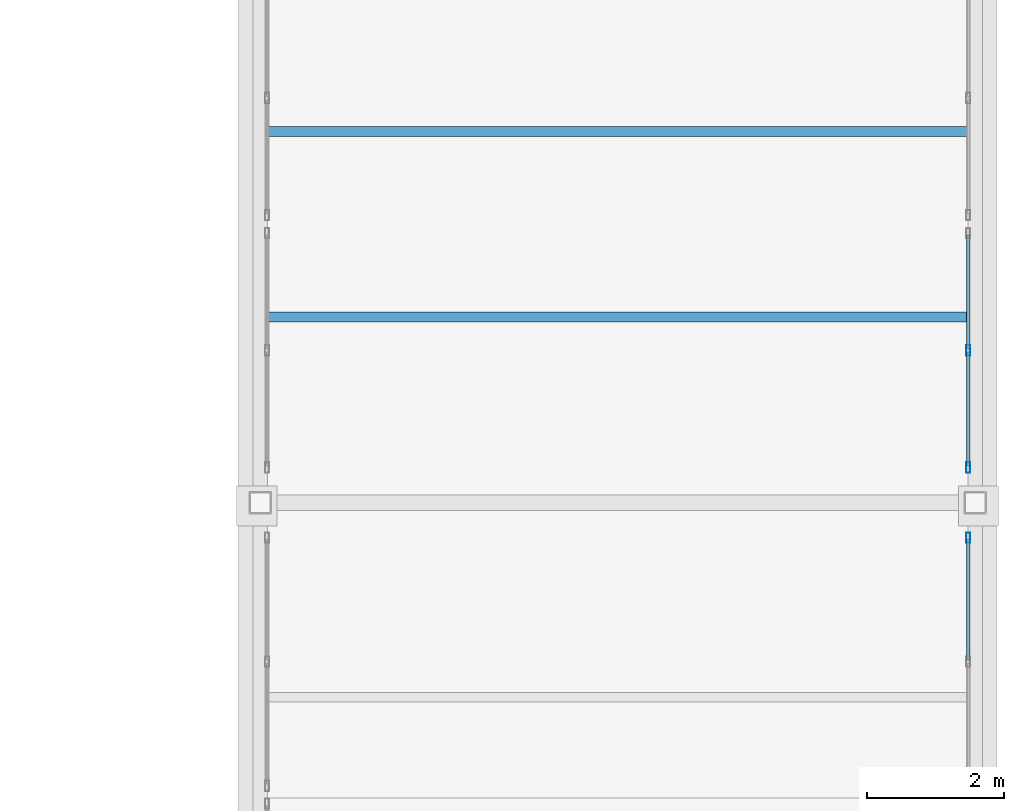
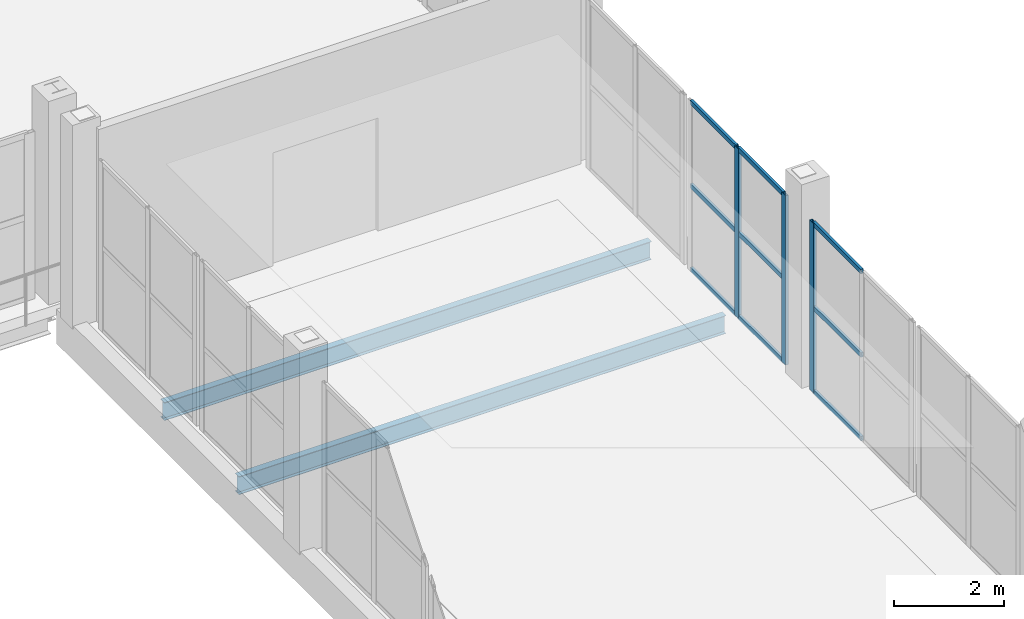
# One storey, part 79 of 156: 12 members, 2 beams, 2 elements without a shape of their own.
"""IFC4 building model written with IfcOpenShell, lengths in metres."""

from ifc_helpers import new_model, si_unit, direction, frame, origin, origin_2d, place, context, subcontext, project, spatial, hollow_rectangle, i_section, extrude, material, material_profile, profile_set, type_object, element, aggregate, save


model = new_model("IFC4")

# Units and contexts
model_context = context("Model", 3, precision=1e-05, world=origin(), true_north=direction((0.0, 1.0)))
body_context = subcontext(model_context, "Body", "Model", "MODEL_VIEW")
ifc_project = project(units=[si_unit("LENGTHUNIT", "METRE"), si_unit("AREAUNIT", "SQUARE_METRE"), si_unit("VOLUMEUNIT", "CUBIC_METRE"), si_unit("PLANEANGLEUNIT", "RADIAN"), si_unit("MASSUNIT", "GRAM", prefix="KILO")], contexts=[model_context])

# Site, building, storey
site_placement = place(None, origin())
site = spatial("IfcSite", under=ifc_project, at=site_placement, CompositionType="ELEMENT")
building_placement = place(site_placement, origin())
building = spatial("IfcBuilding", under=site, at=building_placement, Name="Caurita Quay Ferry Terminal", CompositionType="ELEMENT")
storey_placement = place(building_placement, frame((0.0, 0.0, 5.39990234375)))
storey = spatial("IfcBuildingStorey", under=building, at=storey_placement, Name="L01", CompositionType="ELEMENT", Elevation=5.39990234375)

# Beams
ifc_material_1 = material(Name="Structural steel ASTM A992 Gr. 50", Category="steel")
ifc_material_profile_1 = material_profile(ifc_material_1, i_section(OverallWidth=0.139892578125, OverallDepth=0.39892578125, WebThickness=0.00634765625, FlangeThickness=0.0087890625, at=origin_2d()), Name="W16X26")
ifc_profile_set_1 = profile_set([ifc_material_profile_1], Name="Structural steel ASTM A992 Gr. 50")
beam_type = type_object("IfcBeamType", Name="BM-JS-W16C", PredefinedType="JOIST", material=ifc_profile_set_1)
for number, where, z_axis, x_axis, name in (
    (1, (163.705322265625, 28.199951171875, -0.434326171875), (1.0, 0.0, 0.0), (0.0, 1.0, 0.0), "L01 Beam JS-V3P-L01-023"),
    (2, (163.705322265625, 30.89990234375, -0.434326171875), (1.0, 0.0, 0.0), (0.0, 1.0, 0.0), "L01 Beam JS-V3P-L01-024"),
):
    element("IfcBeam", number, at=place(storey_placement, frame(where, z_axis=z_axis, x_axis=x_axis)), inside=storey, type_object=beam_type, Name=name, PredefinedType="JOIST", context=body_context, shape_type="SweptSolid", body=[
        extrude(i_section(OverallWidth=0.139892578125, OverallDepth=0.39892578125, WebThickness=0.00634765625, FlangeThickness=0.0087890625, at=origin_2d()), origin(), (0.0, 0.0, 1.0), 10.189208984375),
    ])

# Curtain wall, member
ifc_material_2 = material(Name="Laminated solar-control insulated glass", Category="glass")
curtain_wall_type_1 = type_object("IfcCurtainWallType", Name="CW-SYS-15", PredefinedType="NOTDEFINED", material=ifc_material_2)
curtain_wall_1_placement = place(storey_placement, origin())
curtain_wall_1 = element("IfcCurtainWall", 3, at=curtain_wall_1_placement, inside=storey, type_object=curtain_wall_type_1, Name="Boarding Gangway Ribbon Curtain Wall 133", PredefinedType="NOTDEFINED")
ifc_material_3 = material(Name="Anodized aluminium 6063-T6", Category="aluminium")
ifc_material_profile_2 = material_profile(ifc_material_3, hollow_rectangle(XDim=0.06005859375, YDim=0.14990234375, WallThickness=0.00341796875, at=origin_2d()), Name="ALU-MUL-60X150")
ifc_profile_set_2 = profile_set([ifc_material_profile_2], Name="Anodized aluminium 6063-T6")
member_type_1 = type_object("IfcMemberType", Name="CW-MUL-150", PredefinedType="MULLION", material=ifc_profile_set_2)
member_1_placement = place(storey_placement, frame((173.89990234375, 24.989990234375, 0.0), z_axis=(0.0, 0.0, 1.0), x_axis=(-1.0, 0.0, 0.0)))
member_1 = element("IfcMember", 4, at=member_1_placement, type_object=member_type_1, Name="CW-BGW-133 Mullion 3", PredefinedType="MULLION", context=body_context, shape_type="SweptSolid", body=[
    extrude(hollow_rectangle(XDim=0.06005859375, YDim=0.14990234375, WallThickness=0.00341796875, at=origin_2d()), origin(), (0.0, 0.0, 1.0), 3.75),
])

# Curtain wall, members
curtain_wall_type_2 = type_object("IfcCurtainWallType", Name="CW-SYS-16", PredefinedType="NOTDEFINED", material=ifc_material_2)
curtain_wall_2_placement = place(storey_placement, origin())
curtain_wall_2 = element("IfcCurtainWall", 5, at=curtain_wall_2_placement, inside=storey, type_object=curtain_wall_type_2, Name="Boarding Gangway Ribbon Curtain Wall 134", PredefinedType="NOTDEFINED")
member_2_placement = place(storey_placement, frame((173.89990234375, 26.010009765625, 0.0), z_axis=(0.0, 0.0, 1.0), x_axis=(-1.0, 0.0, 0.0)))
member_2 = element("IfcMember", 6, at=member_2_placement, type_object=member_type_1, Name="CW-BGW-134 Mullion 1", PredefinedType="MULLION", context=body_context, shape_type="SweptSolid", body=[
    extrude(hollow_rectangle(XDim=0.06005859375, YDim=0.14990234375, WallThickness=0.00341796875, at=origin_2d()), origin(), (0.0, 0.0, 1.0), 3.75),
])
member_3_placement = place(storey_placement, frame((173.89990234375, 27.715087890625, 0.0), z_axis=(0.0, 0.0, 1.0), x_axis=(-1.0, 0.0, 0.0)))
member_3 = element("IfcMember", 7, at=member_3_placement, type_object=member_type_1, Name="CW-BGW-134 Mullion 2", PredefinedType="MULLION", context=body_context, shape_type="SweptSolid", body=[
    extrude(hollow_rectangle(XDim=0.06005859375, YDim=0.14990234375, WallThickness=0.00341796875, at=origin_2d()), origin(), (0.0, 0.0, 1.0), 3.75),
])

# Member
ifc_material_profile_3 = material_profile(ifc_material_3, hollow_rectangle(XDim=0.054931640625, YDim=0.10009765625, WallThickness=0.00341796875, at=origin_2d()), Name="ALU-TRN-55X100")
ifc_profile_set_3 = profile_set([ifc_material_profile_3], Name="Anodized aluminium 6063-T6")
member_type_2 = type_object("IfcMemberType", Name="CW-TRN-100", PredefinedType="USERDEFINED", material=ifc_profile_set_3)
member_4_placement = place(storey_placement, frame((173.89990234375, 23.212890625, 0.027587890625), z_axis=(0.0, 1.0, 0.0), x_axis=(-1.0, 0.0, 0.0)))
member_4 = element("IfcMember", 8, at=member_4_placement, type_object=member_type_2, Name="CW-BGW-133 Transom 4", ObjectType="TRANSOM", PredefinedType="USERDEFINED", context=body_context, shape_type="SweptSolid", body=[
    extrude(hollow_rectangle(XDim=0.054931640625, YDim=0.10009765625, WallThickness=0.00341796875, at=origin_2d()), origin(), (0.0, 0.0, 1.0), 1.7490234375),
])

member_5_placement = place(storey_placement, frame((173.89990234375, 23.212890625, 1.875), z_axis=(0.0, 1.0, 0.0), x_axis=(-1.0, 0.0, 0.0)))
member_5 = element("IfcMember", 9, at=member_5_placement, type_object=member_type_2, Name="CW-BGW-133 Transom 5", ObjectType="TRANSOM", PredefinedType="USERDEFINED", context=body_context, shape_type="SweptSolid", body=[
    extrude(hollow_rectangle(XDim=0.054931640625, YDim=0.10009765625, WallThickness=0.00341796875, at=origin_2d()), origin(), (0.0, 0.0, 1.0), 1.7490234375),
])

member_6_placement = place(storey_placement, frame((173.89990234375, 23.212890625, 3.72265625), z_axis=(0.0, 1.0, 0.0), x_axis=(-1.0, 0.0, 0.0)))
member_6 = element("IfcMember", 10, at=member_6_placement, type_object=member_type_2, Name="CW-BGW-133 Transom 6", ObjectType="TRANSOM", PredefinedType="USERDEFINED", context=body_context, shape_type="SweptSolid", body=[
    extrude(hollow_rectangle(XDim=0.054931640625, YDim=0.10009765625, WallThickness=0.00341796875, at=origin_2d()), origin(), (0.0, 0.0, 1.0), 1.7490234375),
])

aggregate(curtain_wall_1, [member_1, member_4, member_5, member_6])

member_7_placement = place(storey_placement, frame((173.89990234375, 26.0380859375, 0.027587890625), z_axis=(0.0, 1.0, 0.0), x_axis=(-1.0, 0.0, 0.0)))
member_7 = element("IfcMember", 11, at=member_7_placement, type_object=member_type_2, Name="CW-BGW-134 Transom 1", ObjectType="TRANSOM", PredefinedType="USERDEFINED", context=body_context, shape_type="SweptSolid", body=[
    extrude(hollow_rectangle(XDim=0.054931640625, YDim=0.10009765625, WallThickness=0.00341796875, at=origin_2d()), origin(), (0.0, 0.0, 1.0), 1.64892578125),
])

member_8_placement = place(storey_placement, frame((173.89990234375, 26.0380859375, 1.875), z_axis=(0.0, 1.0, 0.0), x_axis=(-1.0, 0.0, 0.0)))
member_8 = element("IfcMember", 12, at=member_8_placement, type_object=member_type_2, Name="CW-BGW-134 Transom 2", ObjectType="TRANSOM", PredefinedType="USERDEFINED", context=body_context, shape_type="SweptSolid", body=[
    extrude(hollow_rectangle(XDim=0.054931640625, YDim=0.10009765625, WallThickness=0.00341796875, at=origin_2d()), origin(), (0.0, 0.0, 1.0), 1.64892578125),
])

member_9_placement = place(storey_placement, frame((173.89990234375, 26.0380859375, 3.72265625), z_axis=(0.0, 1.0, 0.0), x_axis=(-1.0, 0.0, 0.0)))
member_9 = element("IfcMember", 13, at=member_9_placement, type_object=member_type_2, Name="CW-BGW-134 Transom 3", ObjectType="TRANSOM", PredefinedType="USERDEFINED", context=body_context, shape_type="SweptSolid", body=[
    extrude(hollow_rectangle(XDim=0.054931640625, YDim=0.10009765625, WallThickness=0.00341796875, at=origin_2d()), origin(), (0.0, 0.0, 1.0), 1.64892578125),
])

member_10_placement = place(storey_placement, frame((173.89990234375, 27.742919921875, 0.027587890625), z_axis=(0.0, 1.0, 0.0), x_axis=(-1.0, 0.0, 0.0)))
member_10 = element("IfcMember", 14, at=member_10_placement, type_object=member_type_2, Name="CW-BGW-134 Transom 4", ObjectType="TRANSOM", PredefinedType="USERDEFINED", context=body_context, shape_type="SweptSolid", body=[
    extrude(hollow_rectangle(XDim=0.054931640625, YDim=0.10009765625, WallThickness=0.00341796875, at=origin_2d()), origin(), (0.0, 0.0, 1.0), 1.649169921875),
])

member_11_placement = place(storey_placement, frame((173.89990234375, 27.742919921875, 1.875), z_axis=(0.0, 1.0, 0.0), x_axis=(-1.0, 0.0, 0.0)))
member_11 = element("IfcMember", 15, at=member_11_placement, type_object=member_type_2, Name="CW-BGW-134 Transom 5", ObjectType="TRANSOM", PredefinedType="USERDEFINED", context=body_context, shape_type="SweptSolid", body=[
    extrude(hollow_rectangle(XDim=0.054931640625, YDim=0.10009765625, WallThickness=0.00341796875, at=origin_2d()), origin(), (0.0, 0.0, 1.0), 1.649169921875),
])

member_12_placement = place(storey_placement, frame((173.89990234375, 27.742919921875, 3.72265625), z_axis=(0.0, 1.0, 0.0), x_axis=(-1.0, 0.0, 0.0)))
member_12 = element("IfcMember", 16, at=member_12_placement, type_object=member_type_2, Name="CW-BGW-134 Transom 6", ObjectType="TRANSOM", PredefinedType="USERDEFINED", context=body_context, shape_type="SweptSolid", body=[
    extrude(hollow_rectangle(XDim=0.054931640625, YDim=0.10009765625, WallThickness=0.00341796875, at=origin_2d()), origin(), (0.0, 0.0, 1.0), 1.649169921875),
])

aggregate(curtain_wall_2, [member_2, member_3, member_7, member_8, member_9, member_10, member_11, member_12])

save(model, "model.ifc")
